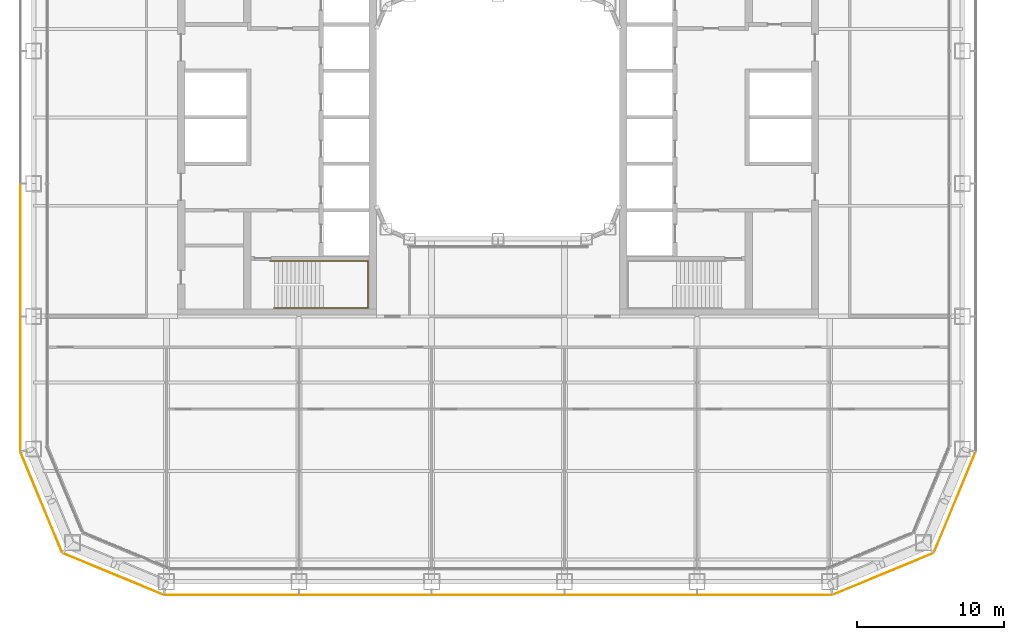
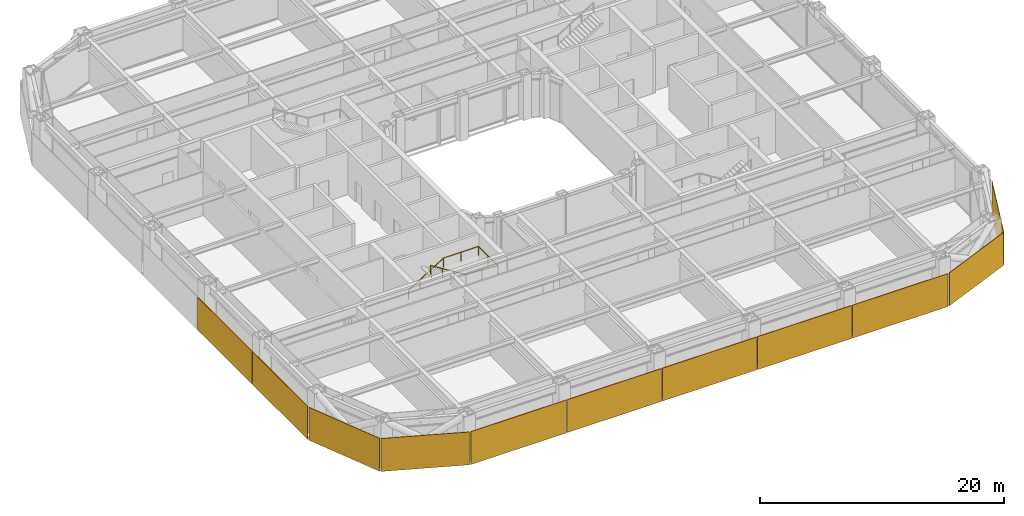
# One storey, part 25 of 30: 11 coverings, 1 railing.
"""IFC4 building model written with IfcOpenShell, lengths in metres."""

import ifcopenshell
import ifcopenshell.guid

model = None  # the IFC model being written
_history = None  # IfcOwnerHistory: only IFC2X3 demands one
_inside = {}  # id of a spatial element -> (the spatial element, [elements in it])
_under = {}  # id of a project, library or spatial element -> (it, [spatial elements below it])
_declared = {}  # id of a project -> (the project, [libraries it declares])
_typed = {}  # id of a type object -> (the type object, [elements of that type])
_made_of = {}  # id of a material, layer set ... -> (it, [elements and type objects made of it])


def new_model(schema):
    """Start an empty IFC model of exactly this schema.

    Asked for "IFC4X3", IfcOpenShell would pick the latest addendum, in which some entities
    have other attributes; the version numbers below select the first issue.
    IFC2X3 requires an IfcOwnerHistory on every rooted entity: one is made here for all.
    """
    global model, _history
    if schema == "IFC4X3":
        model = ifcopenshell.file(schema_version=(4, 3, 0, 0))
    else:
        model = ifcopenshell.file(schema=schema)
    _inside.clear()
    _under.clear()
    _declared.clear()
    _typed.clear()
    _made_of.clear()
    _history = None
    if model.schema == "IFC2X3":
        org = make("IfcOrganization", Name="unknown")
        user = make(
            "IfcPersonAndOrganization",
            ThePerson=make("IfcPerson", FamilyName="unknown"),
            TheOrganization=org,
        )
        app = make(
            "IfcApplication",
            ApplicationDeveloper=org,
            Version="unknown",
            ApplicationFullName="unknown",
            ApplicationIdentifier="unknown",
        )
        _history = make(
            "IfcOwnerHistory",
            OwningUser=user,
            OwningApplication=app,
            ChangeAction="ADDED",
            CreationDate=0,
        )
    return model


def make(cls, **values):
    """One entity of the class cls with the attributes given. An attribute that is None is left unset."""
    return model.create_entity(
        cls, **{name: value for name, value in values.items() if value is not None}
    )


def rooted(cls, **values):
    """An entity with a GlobalId (a new one), such as an element, a storey or a relation."""
    return make(cls, GlobalId=ifcopenshell.guid.new(), OwnerHistory=_history, **values)


def si_unit(unit_type, name, prefix=None):
    """IfcSIUnit, for example si_unit("LENGTHUNIT", "METRE", prefix="MILLI")."""
    return make("IfcSIUnit", UnitType=unit_type, Prefix=prefix, Name=name)


def assignment(units):
    """IfcUnitAssignment: the units of a project."""
    return None if units is None else make("IfcUnitAssignment", Units=units)


def point(xyz):
    """IfcCartesianPoint."""
    return None if xyz is None else make("IfcCartesianPoint", Coordinates=xyz)


def direction(xyz):
    """IfcDirection."""
    return None if xyz is None else make("IfcDirection", DirectionRatios=xyz)


def frame(location, z_axis=None, x_axis=None):
    """IfcAxis2Placement3D, a coordinate frame: its origin and axes. An axis left out is left unset."""
    return make(
        "IfcAxis2Placement3D",
        Location=point(location),
        Axis=direction(z_axis),
        RefDirection=direction(x_axis),
    )


def frame_2d(location, x_axis=None):
    """IfcAxis2Placement2D, a coordinate frame in the plane: its origin and x axis."""
    return make(
        "IfcAxis2Placement2D", Location=point(location), RefDirection=direction(x_axis)
    )


def origin():
    """The frame at (0, 0, 0) with its axes left unset."""
    return frame((0.0, 0.0, 0.0))


def origin_2d():
    """The frame at (0, 0) in the plane with its x axis left unset."""
    return frame_2d((0.0, 0.0))


def place(relative_to, where):
    """IfcLocalPlacement: puts the frame where relative to a parent placement (None: the world)."""
    return make(
        "IfcLocalPlacement", PlacementRelTo=relative_to, RelativePlacement=where
    )


def context(
    kind, dimensions, precision=None, world=None, true_north=None, identifier=None
):
    """IfcGeometricRepresentationContext, for example the 3D "Model" context."""
    return make(
        "IfcGeometricRepresentationContext",
        ContextIdentifier=identifier,
        ContextType=kind,
        CoordinateSpaceDimension=dimensions,
        Precision=precision,
        WorldCoordinateSystem=world,
        TrueNorth=true_north,
    )


def subcontext(parent, identifier, kind, view, scale=None):
    """IfcGeometricRepresentationSubContext, for example "Body" below "Model"."""
    return make(
        "IfcGeometricRepresentationSubContext",
        ContextIdentifier=identifier,
        ContextType=kind,
        ParentContext=parent,
        TargetScale=scale,
        TargetView=view,
    )


def project(units=None, contexts=None):
    """IfcProject with its units and contexts."""
    return rooted(
        "IfcProject",
        Name="project",
        RepresentationContexts=contexts,
        UnitsInContext=assignment(units),
    )


def spatial(cls, under=None, at=None, **own):
    """A site, building, storey or space (cls), placed at a placement, below another one or the project."""
    s = rooted(cls, ObjectPlacement=at, **own)
    if under is not None:
        _under.setdefault(under.id(), (under, []))[1].append(s)
    return s


def profile(cls, at=None, kind="AREA", **sizes):
    """A parametric profile (cls). Its sizes go by their IFC names, for example OverallWidth=200.0."""
    return make(cls, ProfileType=kind, Position=at, **sizes)


def rectangle(**sizes):
    """IfcRectangleProfileDef."""
    return profile("IfcRectangleProfileDef", **sizes)


def circle(**sizes):
    """IfcCircleProfileDef."""
    return profile("IfcCircleProfileDef", **sizes)


def extrude(swept, where, along, depth):
    """IfcExtrudedAreaSolid: the profile swept, set in the frame where, extruded along a direction by depth."""
    return make(
        "IfcExtrudedAreaSolid",
        SweptArea=swept,
        Position=where,
        ExtrudedDirection=direction(along),
        Depth=depth,
    )


def shape(context_of_items, identifier, shape_type, items):
    """IfcShapeRepresentation: the items that make up one representation, for example the "Body"."""
    return make(
        "IfcShapeRepresentation",
        ContextOfItems=context_of_items,
        RepresentationIdentifier=identifier,
        RepresentationType=shape_type,
        Items=items,
    )


def material(Name=None, Category=None):
    """IfcMaterial."""
    return make("IfcMaterial", Name=Name, Category=Category)


def layer(
    of_material, thickness, ventilated=None, Name=None, Category=None, Priority=None
):
    """IfcMaterialLayer: one layer of a wall or slab, of a material (None: an air gap)."""
    return make(
        "IfcMaterialLayer",
        Material=of_material,
        LayerThickness=thickness,
        IsVentilated=ventilated,
        Name=Name,
        Category=Category,
        Priority=Priority,
    )


def layer_set(layers, Name=None):
    """IfcMaterialLayerSet."""
    return make("IfcMaterialLayerSet", MaterialLayers=layers, LayerSetName=Name)


def made_of(thing, what):
    """Note that an element or type object is made of a material, layer set ...; save() writes the relation."""
    if what is not None:
        _made_of.setdefault(what.id(), (what, []))[1].append(thing)
    return thing


def type_object(cls, material=None, **own):
    """A type object (cls), such as IfcWallType, which elements share."""
    return made_of(rooted(cls, **own), material)


def element(
    cls,
    number,
    at=None,
    inside=None,
    cuts=None,
    type_object=None,
    material=None,
    context=None,
    identifier="Body",
    shape_type=None,
    held_by="IfcProductDefinitionShape",
    body=None,
    shapes=None,
    **own,
):
    """One element of the class cls, such as IfcWall. Its Tag is "e" and its number.

    at: its placement. inside: the storey or other place that contains it. cuts: it is an
    opening in that element (IfcRelVoidsElement). A single representation is given by context,
    identifier, shape_type and body (its items); several are given by shapes. held_by: the class
    of the entity that holds the representations. save() writes the other relations.
    """
    e = rooted(cls, Tag="e%d" % number, ObjectPlacement=at, **own)
    if body is not None:
        shapes = [shape(context, identifier, shape_type, body)]
    if shapes is not None:
        e.Representation = make(held_by, Representations=shapes)
    if inside is not None:
        _inside.setdefault(inside.id(), (inside, []))[1].append(e)
    if cuts is not None:
        rooted(
            "IfcRelVoidsElement", RelatingBuildingElement=cuts, RelatedOpeningElement=e
        )
    if type_object is not None:
        _typed.setdefault(type_object.id(), (type_object, []))[1].append(e)
    return made_of(e, material)


def aggregate(whole, parts):
    """IfcRelAggregates: a whole, such as a stair, and the parts it consists of."""
    return rooted("IfcRelAggregates", RelatingObject=whole, RelatedObjects=parts)


def save(model, path):
    """Write the relations noted so far, then the file.

    IfcRelAggregates (storeys below a building ...), IfcRelContainedInSpatialStructure (elements
    in a storey), IfcRelDefinesByType, IfcRelAssociatesMaterial and IfcRelDeclares: one each for
    every whole, place, type object, material and project.
    """
    for whole, parts in _under.values():
        aggregate(whole, parts)
    for where, things in _inside.values():
        rooted(
            "IfcRelContainedInSpatialStructure",
            RelatedElements=things,
            RelatingStructure=where,
        )
    for kind, things in _typed.values():
        rooted("IfcRelDefinesByType", RelatedObjects=things, RelatingType=kind)
    for what, things in _made_of.values():
        rooted("IfcRelAssociatesMaterial", RelatedObjects=things, RelatingMaterial=what)
    for by, libraries in _declared.values():
        rooted("IfcRelDeclares", RelatingContext=by, RelatedDefinitions=libraries)
    model.write(path)


model = new_model("IFC4")

# Units and contexts
model_context = context("Model", 3, precision=1e-05, world=origin(), true_north=direction((0.0, 1.0)))
body_context = subcontext(model_context, "Body", "Model", "MODEL_VIEW")
ifc_project = project(units=[si_unit("LENGTHUNIT", "METRE"), si_unit("AREAUNIT", "SQUARE_METRE"), si_unit("VOLUMEUNIT", "CUBIC_METRE"), si_unit("PLANEANGLEUNIT", "RADIAN"), si_unit("MASSUNIT", "GRAM", prefix="KILO")], contexts=[model_context])

# Site, building, storey
site_placement = place(None, origin())
site = spatial("IfcSite", under=ifc_project, at=site_placement, CompositionType="ELEMENT")
building_placement = place(site_placement, origin())
building = spatial("IfcBuilding", under=site, at=building_placement, Name="Siwar Civic Tower", CompositionType="ELEMENT")
storey_placement = place(building_placement, frame((0.0, 0.0, 26.699951171875)))
storey = spatial("IfcBuildingStorey", under=building, at=storey_placement, Name="L05", CompositionType="ELEMENT", Elevation=26.699951171875)

# Railing
ifc_material_1 = material(Name="Stainless steel", Category="steel")
railing_type = type_object("IfcRailingType", Name="CORE-STAIR-HANDRAIL", PredefinedType="HANDRAIL", material=ifc_material_1)
railing_placement = place(storey_placement, frame((-15.449951171875, -9.758056640625, 0.173095703125)))
element("IfcRailing", 1, at=railing_placement, inside=storey, type_object=railing_type, Name="Stair handrail ST2", PredefinedType="HANDRAIL", context=body_context, shape_type="SweptSolid", body=[
    extrude(circle(Radius=0.02001953125, at=origin_2d()), frame((0.0, 0.0, 0.8798828125), z_axis=(0.847063342986, 0.0, 0.531491950051), x_axis=(0.0, 1.0, 0.0)), (0.0, 0.0, 1.0), 3.90771484375),
    extrude(circle(Radius=0.02001953125, at=origin_2d()), frame((3.31005859375, 0.0, 2.956787109375), z_axis=(1.0, 0.0, 0.0), x_axis=(0.0, 1.0, 0.0)), (0.0, 0.0, 1.0), 3.331787109375),
    extrude(circle(Radius=0.02001953125, at=origin_2d()), frame((6.641845703125, 0.0, 2.956787109375), z_axis=(0.0, -1.0, 0.0), x_axis=(1.0, 0.0, 0.0)), (0.0, 0.0, 1.0), 3.183837890625),
    extrude(circle(Radius=0.02001953125, at=origin_2d()), frame((6.641845703125, -3.183837890625, 2.956787109375), z_axis=(-0.99837434197, 0.0, 0.056997134106), x_axis=(0.0, -1.0, 0.0)), (0.0, 0.0, 1.0), 3.036865234375),
    extrude(circle(Radius=0.02001953125, at=origin_2d()), frame((3.60986328125, -3.183837890625, 3.1298828125), z_axis=(-0.850606129759, 0.0, 0.525803396734), x_axis=(0.0, -1.0, 0.0)), (0.0, 0.0, 1.0), 3.949951171875),
    extrude(circle(Radius=0.02001953125, at=origin_2d()), origin(), (0.0, 0.0, 1.0), 0.85986328125),
    extrude(circle(Radius=0.02001953125, at=origin_2d()), frame((1.103271484375, 0.0, 0.6923828125)), (0.0, 0.0, 1.0), 0.85986328125),
    extrude(circle(Radius=0.02001953125, at=origin_2d()), frame((2.206787109375, 0.0, 1.384521484375)), (0.0, 0.0, 1.0), 0.85986328125),
    extrude(circle(Radius=0.02001953125, at=origin_2d()), frame((3.31005859375, 0.0, 2.076904296875)), (0.0, 0.0, 1.0), 0.85986328125),
    extrude(circle(Radius=0.02001953125, at=origin_2d()), frame((4.97607421875, 0.0, 2.076904296875)), (0.0, 0.0, 1.0), 0.85986328125),
    extrude(circle(Radius=0.02001953125, at=origin_2d()), frame((6.641845703125, 0.0, 2.076904296875)), (0.0, 0.0, 1.0), 0.85986328125),
    extrude(circle(Radius=0.02001953125, at=origin_2d()), frame((6.641845703125, -1.591796875, 2.076904296875)), (0.0, 0.0, 1.0), 0.85986328125),
    extrude(circle(Radius=0.02001953125, at=origin_2d()), frame((6.641845703125, -3.183837890625, 2.076904296875)), (0.0, 0.0, 1.0), 0.85986328125),
    extrude(circle(Radius=0.02001953125, at=origin_2d()), frame((5.1259765625, -3.183837890625, 2.16357421875)), (0.0, 0.0, 1.0), 0.85986328125),
    extrude(circle(Radius=0.02001953125, at=origin_2d()), frame((3.60986328125, -3.183837890625, 2.25)), (0.0, 0.0, 1.0), 0.85986328125),
    extrude(circle(Radius=0.02001953125, at=origin_2d()), frame((2.489990234375, -3.183837890625, 2.9423828125)), (0.0, 0.0, 1.0), 0.85986328125),
    extrude(circle(Radius=0.02001953125, at=origin_2d()), frame((1.369873046875, -3.183837890625, 3.634521484375)), (0.0, 0.0, 1.0), 0.85986328125),
    extrude(circle(Radius=0.02001953125, at=origin_2d()), frame((0.25, -3.183837890625, 4.326904296875)), (0.0, 0.0, 1.0), 0.85986328125),
])

# Coverings
ifc_material_2 = material(Name="Perforated aluminium cassette, pale metal", Category="aluminium")
ifc_layer_1 = layer(ifc_material_2, 0.044921875)
ifc_layer_set_1 = layer_set([ifc_layer_1], Name="Perforated aluminium cassette, pale metal")
covering_type_1 = type_object("IfcCoveringType", Name="ENV-OUTER SKIN OS-2", PredefinedType="CLADDING", material=ifc_layer_set_1)
covering_1_placement = place(storey_placement, frame((30.976318359375, -26.115966796875, -0.14990234375), z_axis=(0.0, 0.0, 1.0), x_axis=(0.382683432365, 0.923879532511, 0.0)))
element("IfcCovering", 2, at=covering_1_placement, inside=storey, type_object=covering_type_1, Name="OUTER SKIN OS-2 SE2 1", PredefinedType="CLADDING", context=body_context, shape_type="SweptSolid", body=[
    extrude(rectangle(XDim=7.300048828125, YDim=0.044921875, at=origin_2d()), origin(), (0.0, 0.0, 1.0), 3.300048828125),
])
ifc_material_3 = material(Name="Perforated aluminium cassette, pale metal", Category="aluminium")
ifc_layer_2 = layer(ifc_material_3, 0.050048828125)
ifc_layer_set_2 = layer_set([ifc_layer_2], Name="Perforated aluminium cassette, pale metal")
covering_type_2 = type_object("IfcCoveringType", Name="ENV-OUTER SKIN OS-3", PredefinedType="CLADDING", material=ifc_layer_set_2)
covering_2_placement = place(storey_placement, frame((26.115966796875, -30.976318359375, -0.14990234375), z_axis=(0.0, 0.0, 1.0), x_axis=(0.923879532511, 0.382683432365, 0.0)))
element("IfcCovering", 3, at=covering_2_placement, inside=storey, type_object=covering_type_2, Name="OUTER SKIN OS-3 SE1 1", PredefinedType="CLADDING", context=body_context, shape_type="SweptSolid", body=[
    extrude(rectangle(XDim=7.300048828125, YDim=0.050048828125, at=origin_2d()), origin(), (0.0, 0.0, 1.0), 3.300048828125),
])
covering_3_placement = place(storey_placement, frame((-32.39990234375, -9.0, -0.14990234375), z_axis=(0.0, 0.0, 1.0), x_axis=(0.0, -1.0, 0.0)))
element("IfcCovering", 4, at=covering_3_placement, inside=storey, type_object=covering_type_2, Name="OUTER SKIN OS-3 W 4", PredefinedType="CLADDING", context=body_context, shape_type="SweptSolid", body=[
    extrude(rectangle(XDim=8.89990234375, YDim=0.050048828125, at=origin_2d()), origin(), (0.0, 0.0, 1.0), 3.300048828125),
])
covering_4_placement = place(storey_placement, frame((-32.39990234375, -18.07958984375, -0.14990234375), z_axis=(0.0, 0.0, 1.0), x_axis=(0.0, -1.0, 0.0)))
element("IfcCovering", 5, at=covering_4_placement, inside=storey, type_object=covering_type_2, Name="OUTER SKIN OS-3 W 5", PredefinedType="CLADDING", context=body_context, shape_type="SweptSolid", body=[
    extrude(rectangle(XDim=9.05908203125, YDim=0.050048828125, at=origin_2d()), origin(), (0.0, 0.0, 1.0), 3.300048828125),
])
ifc_material_4 = material(Name="Perforated aluminium cassette, pale metal", Category="aluminium")
ifc_layer_3 = layer(ifc_material_4, 0.054931640625)
ifc_layer_set_3 = layer_set([ifc_layer_3], Name="Perforated aluminium cassette, pale metal")
covering_type_3 = type_object("IfcCoveringType", Name="ENV-OUTER SKIN OS-4", PredefinedType="CLADDING", material=ifc_layer_set_3)
covering_5_placement = place(storey_placement, frame((-18.07958984375, -32.39990234375, -0.14990234375), z_axis=(0.0, 0.0, 1.0), x_axis=(1.0, 0.0, 0.0)))
element("IfcCovering", 6, at=covering_5_placement, inside=storey, type_object=covering_type_3, Name="OUTER SKIN OS-4 S 1", PredefinedType="CLADDING", context=body_context, shape_type="SweptSolid", body=[
    extrude(rectangle(XDim=9.05908203125, YDim=0.054931640625, at=origin_2d()), origin(), (0.0, 0.0, 1.0), 3.300048828125),
])
for number, where, z_axis, x_axis, name in (
    (7, (-9.0, -32.39990234375, -0.14990234375), (0.0, 0.0, 1.0), (1.0, 0.0, 0.0), "OUTER SKIN OS-4 S 2"),
    (8, (0.0, -32.39990234375, -0.14990234375), (0.0, 0.0, 1.0), (1.0, 0.0, 0.0), "OUTER SKIN OS-4 S 3"),
    (9, (9.0, -32.39990234375, -0.14990234375), (0.0, 0.0, 1.0), (1.0, 0.0, 0.0), "OUTER SKIN OS-4 S 4"),
):
    element("IfcCovering", number, at=place(storey_placement, frame(where, z_axis=z_axis, x_axis=x_axis)), inside=storey, type_object=covering_type_3, Name=name, PredefinedType="CLADDING", context=body_context, shape_type="SweptSolid", body=[
        extrude(rectangle(XDim=8.89990234375, YDim=0.054931640625, at=origin_2d()), origin(), (0.0, 0.0, 1.0), 3.300048828125),
    ])
covering_6_placement = place(storey_placement, frame((18.07958984375, -32.39990234375, -0.14990234375), z_axis=(0.0, 0.0, 1.0), x_axis=(1.0, 0.0, 0.0)))
element("IfcCovering", 10, at=covering_6_placement, inside=storey, type_object=covering_type_3, Name="OUTER SKIN OS-4 S 5", PredefinedType="CLADDING", context=body_context, shape_type="SweptSolid", body=[
    extrude(rectangle(XDim=9.05908203125, YDim=0.054931640625, at=origin_2d()), origin(), (0.0, 0.0, 1.0), 3.300048828125),
])
for number, where, z_axis, x_axis, name in (
    (11, (-30.976318359375, -26.115966796875, -0.14990234375), (0.0, 0.0, 1.0), (0.382683432365, -0.923879532511, 0.0), "OUTER SKIN OS-4 SW1 1"),
    (12, (-26.115966796875, -30.976318359375, -0.14990234375), (0.0, 0.0, 1.0), (0.923879532511, -0.382683432365, 0.0), "OUTER SKIN OS-4 SW2 1"),
):
    element("IfcCovering", number, at=place(storey_placement, frame(where, z_axis=z_axis, x_axis=x_axis)), inside=storey, type_object=covering_type_3, Name=name, PredefinedType="CLADDING", context=body_context, shape_type="SweptSolid", body=[
        extrude(rectangle(XDim=7.300048828125, YDim=0.054931640625, at=origin_2d()), origin(), (0.0, 0.0, 1.0), 3.300048828125),
    ])

save(model, "model.ifc")
